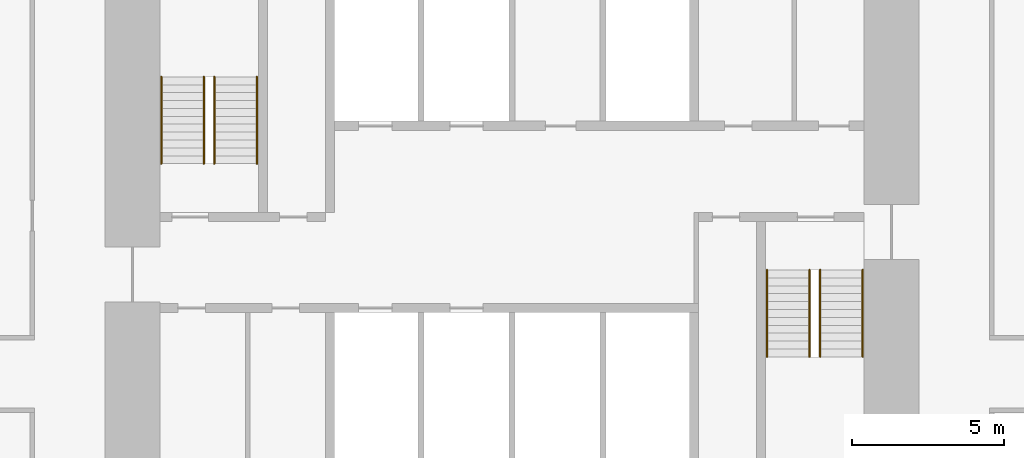
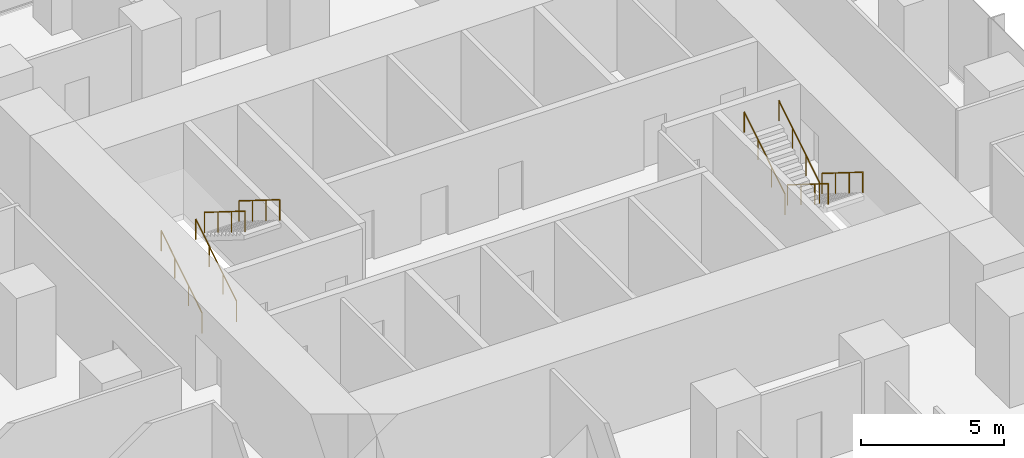
# One storey, part 11 of 11: 8 railings.
"""IFC4 building model written with IfcOpenShell, lengths in metres."""

from ifc_helpers import new_model, si_unit, direction, frame, origin, origin_2d, place, context, subcontext, project, spatial, circle, extrude, material, type_object, element, save


model = new_model("IFC4")

# Units and contexts
model_context = context("Model", 3, precision=1e-05, world=origin(), true_north=direction((0.0, 1.0)))
body_context = subcontext(model_context, "Body", "Model", "MODEL_VIEW")
ifc_project = project(units=[si_unit("LENGTHUNIT", "METRE"), si_unit("AREAUNIT", "SQUARE_METRE"), si_unit("VOLUMEUNIT", "CUBIC_METRE"), si_unit("PLANEANGLEUNIT", "RADIAN"), si_unit("MASSUNIT", "GRAM", prefix="KILO")], contexts=[model_context])

# Site, building, storey
site_placement = place(None, origin())
site = spatial("IfcSite", under=ifc_project, at=site_placement, CompositionType="ELEMENT")
building_placement = place(site_placement, origin())
building = spatial("IfcBuilding", under=site, at=building_placement, Name="Highveld Stack Headquarters", CompositionType="ELEMENT")
storey_placement = place(building_placement, frame((0.0, 0.0, 121.10009765625)))
storey = spatial("IfcBuildingStorey", under=building, at=storey_placement, Name="L29", CompositionType="ELEMENT", Elevation=121.10009765625)

# Railings
ifc_material = material(Name="Stainless steel handrail", Category="steel")
railing_type = type_object("IfcRailingType", Name="STAIR HANDRAIL HR1 900", PredefinedType="HANDRAIL", material=ifc_material)
for number, where, name in (
    (1, (-5.550048828125, 4.75, 0.162353515625), "Handrail S1 L29 flight 1"),
    (2, (-4.14990234375, 4.75, 0.162353515625), "Handrail S1 L29 flight 1"),
):
    element("IfcRailing", number, at=place(storey_placement, frame(where)), inside=storey, type_object=railing_type, Name=name, PredefinedType="HANDRAIL", context=body_context, shape_type="SweptSolid", body=[
        extrude(circle(Radius=0.02392578125, at=origin_2d()), frame((0.0, 0.0, 0.8759765625), z_axis=(0.0, 0.847994237388, 0.530005446535), x_axis=(-1.0, 0.0, 0.0)), (0.0, 0.0, 1.0), 3.372802734375),
        extrude(circle(Radius=0.02099609375, at=origin_2d()), origin(), (0.0, 0.0, 1.0), 0.851806640625),
        extrude(circle(Radius=0.02099609375, at=origin_2d()), frame((0.0, 0.953369140625, 0.595947265625)), (0.0, 0.0, 1.0), 0.851806640625),
        extrude(circle(Radius=0.02099609375, at=origin_2d()), frame((0.0, 1.90673828125, 1.191650390625)), (0.0, 0.0, 1.0), 0.851806640625),
        extrude(circle(Radius=0.02099609375, at=origin_2d()), frame((0.0, 2.860107421875, 1.78759765625)), (0.0, 0.0, 1.0), 0.851806640625),
    ])
for number, where, name in (
    (3, (-3.800048828125, 7.610107421875, 2.1123046875), "Handrail S1 L29 flight 2"),
    (4, (-2.39990234375, 7.610107421875, 2.1123046875), "Handrail S1 L29 flight 2"),
    (5, (16.14990234375, 1.25, 0.162353515625), "Handrail S2 L29 flight 1"),
    (6, (17.550048828125, 1.25, 0.162353515625), "Handrail S2 L29 flight 1"),
):
    element("IfcRailing", number, at=place(storey_placement, frame(where)), inside=storey, type_object=railing_type, Name=name, PredefinedType="HANDRAIL", context=body_context, shape_type="SweptSolid", body=[
        extrude(circle(Radius=0.02392578125, at=origin_2d()), frame((0.0, 0.0, 0.8759765625), z_axis=(0.0, -0.847994237388, 0.530005446535), x_axis=(1.0, 0.0, 0.0)), (0.0, 0.0, 1.0), 3.372802734375),
        extrude(circle(Radius=0.02099609375, at=origin_2d()), origin(), (0.0, 0.0, 1.0), 0.851806640625),
        extrude(circle(Radius=0.02099609375, at=origin_2d()), frame((0.0, -0.953369140625, 0.595947265625)), (0.0, 0.0, 1.0), 0.851806640625),
        extrude(circle(Radius=0.02099609375, at=origin_2d()), frame((0.0, -1.90673828125, 1.191650390625)), (0.0, 0.0, 1.0), 0.851806640625),
        extrude(circle(Radius=0.02099609375, at=origin_2d()), frame((0.0, -2.860107421875, 1.78759765625)), (0.0, 0.0, 1.0), 0.851806640625),
    ])
for number, where, name in (
    (7, (14.39990234375, -1.610107421875, 2.1123046875), "Handrail S2 L29 flight 2"),
    (8, (15.800048828125, -1.610107421875, 2.1123046875), "Handrail S2 L29 flight 2"),
):
    element("IfcRailing", number, at=place(storey_placement, frame(where)), inside=storey, type_object=railing_type, Name=name, PredefinedType="HANDRAIL", context=body_context, shape_type="SweptSolid", body=[
        extrude(circle(Radius=0.02392578125, at=origin_2d()), frame((0.0, 0.0, 0.8759765625), z_axis=(0.0, 0.847994237388, 0.530005446535), x_axis=(-1.0, 0.0, 0.0)), (0.0, 0.0, 1.0), 3.372802734375),
        extrude(circle(Radius=0.02099609375, at=origin_2d()), origin(), (0.0, 0.0, 1.0), 0.851806640625),
        extrude(circle(Radius=0.02099609375, at=origin_2d()), frame((0.0, 0.953369140625, 0.595947265625)), (0.0, 0.0, 1.0), 0.851806640625),
        extrude(circle(Radius=0.02099609375, at=origin_2d()), frame((0.0, 1.90673828125, 1.191650390625)), (0.0, 0.0, 1.0), 0.851806640625),
        extrude(circle(Radius=0.02099609375, at=origin_2d()), frame((0.0, 2.860107421875, 1.78759765625)), (0.0, 0.0, 1.0), 0.851806640625),
    ])

save(model, "model.ifc")
